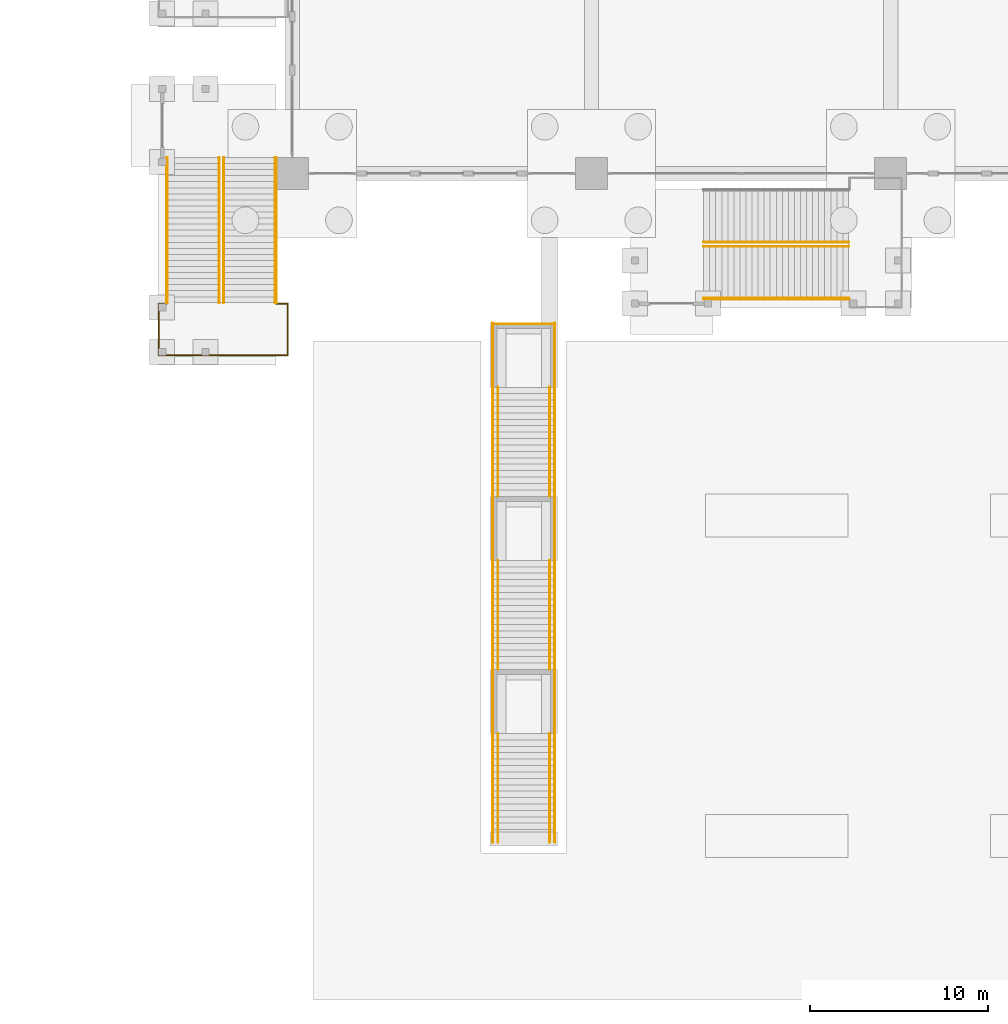
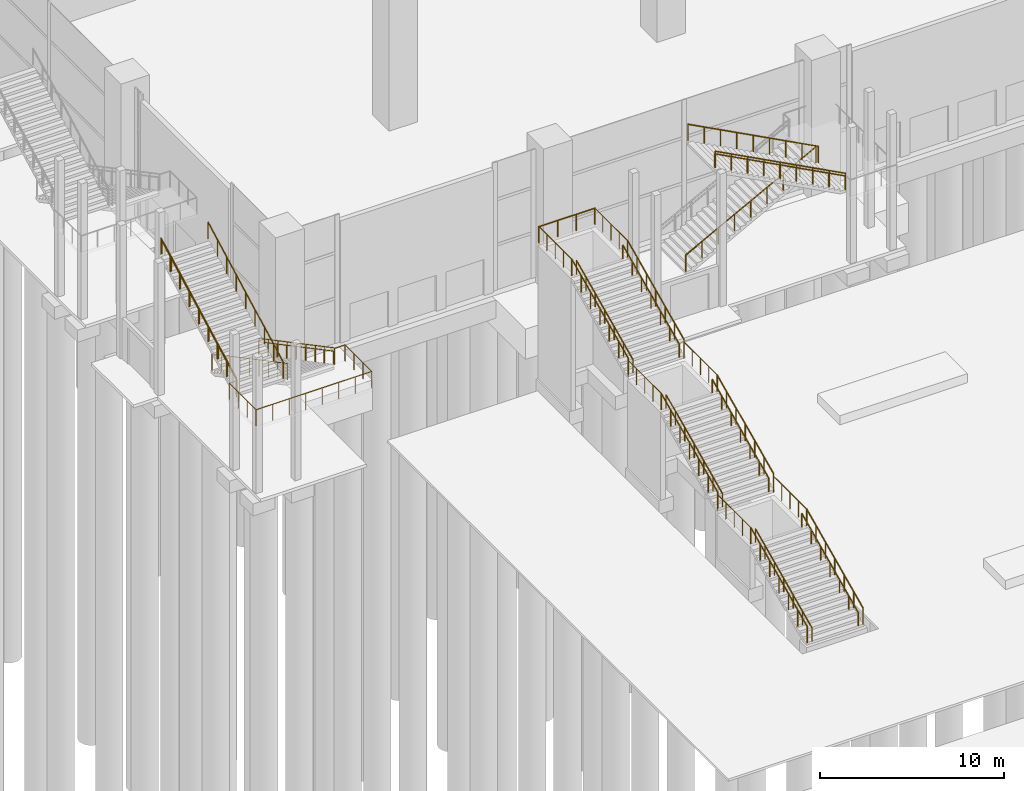
# One storey, part 56 of 72: 30 railings.
"""IFC4 building model written with IfcOpenShell, lengths in metres."""

import ifcopenshell
import ifcopenshell.guid

model = None  # the IFC model being written
_history = None  # IfcOwnerHistory: only IFC2X3 demands one
_inside = {}  # id of a spatial element -> (the spatial element, [elements in it])
_under = {}  # id of a project, library or spatial element -> (it, [spatial elements below it])
_declared = {}  # id of a project -> (the project, [libraries it declares])
_typed = {}  # id of a type object -> (the type object, [elements of that type])
_made_of = {}  # id of a material, layer set ... -> (it, [elements and type objects made of it])


def new_model(schema):
    """Start an empty IFC model of exactly this schema.

    Asked for "IFC4X3", IfcOpenShell would pick the latest addendum, in which some entities
    have other attributes; the version numbers below select the first issue.
    IFC2X3 requires an IfcOwnerHistory on every rooted entity: one is made here for all.
    """
    global model, _history
    if schema == "IFC4X3":
        model = ifcopenshell.file(schema_version=(4, 3, 0, 0))
    else:
        model = ifcopenshell.file(schema=schema)
    _inside.clear()
    _under.clear()
    _declared.clear()
    _typed.clear()
    _made_of.clear()
    _history = None
    if model.schema == "IFC2X3":
        org = make("IfcOrganization", Name="unknown")
        user = make(
            "IfcPersonAndOrganization",
            ThePerson=make("IfcPerson", FamilyName="unknown"),
            TheOrganization=org,
        )
        app = make(
            "IfcApplication",
            ApplicationDeveloper=org,
            Version="unknown",
            ApplicationFullName="unknown",
            ApplicationIdentifier="unknown",
        )
        _history = make(
            "IfcOwnerHistory",
            OwningUser=user,
            OwningApplication=app,
            ChangeAction="ADDED",
            CreationDate=0,
        )
    return model


def make(cls, **values):
    """One entity of the class cls with the attributes given. An attribute that is None is left unset."""
    return model.create_entity(
        cls, **{name: value for name, value in values.items() if value is not None}
    )


def rooted(cls, **values):
    """An entity with a GlobalId (a new one), such as an element, a storey or a relation."""
    return make(cls, GlobalId=ifcopenshell.guid.new(), OwnerHistory=_history, **values)


def si_unit(unit_type, name, prefix=None):
    """IfcSIUnit, for example si_unit("LENGTHUNIT", "METRE", prefix="MILLI")."""
    return make("IfcSIUnit", UnitType=unit_type, Prefix=prefix, Name=name)


def assignment(units):
    """IfcUnitAssignment: the units of a project."""
    return None if units is None else make("IfcUnitAssignment", Units=units)


def point(xyz):
    """IfcCartesianPoint."""
    return None if xyz is None else make("IfcCartesianPoint", Coordinates=xyz)


def direction(xyz):
    """IfcDirection."""
    return None if xyz is None else make("IfcDirection", DirectionRatios=xyz)


def frame(location, z_axis=None, x_axis=None):
    """IfcAxis2Placement3D, a coordinate frame: its origin and axes. An axis left out is left unset."""
    return make(
        "IfcAxis2Placement3D",
        Location=point(location),
        Axis=direction(z_axis),
        RefDirection=direction(x_axis),
    )


def frame_2d(location, x_axis=None):
    """IfcAxis2Placement2D, a coordinate frame in the plane: its origin and x axis."""
    return make(
        "IfcAxis2Placement2D", Location=point(location), RefDirection=direction(x_axis)
    )


def origin():
    """The frame at (0, 0, 0) with its axes left unset."""
    return frame((0.0, 0.0, 0.0))


def origin_2d():
    """The frame at (0, 0) in the plane with its x axis left unset."""
    return frame_2d((0.0, 0.0))


def place(relative_to, where):
    """IfcLocalPlacement: puts the frame where relative to a parent placement (None: the world)."""
    return make(
        "IfcLocalPlacement", PlacementRelTo=relative_to, RelativePlacement=where
    )


def context(
    kind, dimensions, precision=None, world=None, true_north=None, identifier=None
):
    """IfcGeometricRepresentationContext, for example the 3D "Model" context."""
    return make(
        "IfcGeometricRepresentationContext",
        ContextIdentifier=identifier,
        ContextType=kind,
        CoordinateSpaceDimension=dimensions,
        Precision=precision,
        WorldCoordinateSystem=world,
        TrueNorth=true_north,
    )


def subcontext(parent, identifier, kind, view, scale=None):
    """IfcGeometricRepresentationSubContext, for example "Body" below "Model"."""
    return make(
        "IfcGeometricRepresentationSubContext",
        ContextIdentifier=identifier,
        ContextType=kind,
        ParentContext=parent,
        TargetScale=scale,
        TargetView=view,
    )


def project(units=None, contexts=None):
    """IfcProject with its units and contexts."""
    return rooted(
        "IfcProject",
        Name="project",
        RepresentationContexts=contexts,
        UnitsInContext=assignment(units),
    )


def spatial(cls, under=None, at=None, **own):
    """A site, building, storey or space (cls), placed at a placement, below another one or the project."""
    s = rooted(cls, ObjectPlacement=at, **own)
    if under is not None:
        _under.setdefault(under.id(), (under, []))[1].append(s)
    return s


def profile(cls, at=None, kind="AREA", **sizes):
    """A parametric profile (cls). Its sizes go by their IFC names, for example OverallWidth=200.0."""
    return make(cls, ProfileType=kind, Position=at, **sizes)


def circle(**sizes):
    """IfcCircleProfileDef."""
    return profile("IfcCircleProfileDef", **sizes)


def extrude(swept, where, along, depth):
    """IfcExtrudedAreaSolid: the profile swept, set in the frame where, extruded along a direction by depth."""
    return make(
        "IfcExtrudedAreaSolid",
        SweptArea=swept,
        Position=where,
        ExtrudedDirection=direction(along),
        Depth=depth,
    )


def shape(context_of_items, identifier, shape_type, items):
    """IfcShapeRepresentation: the items that make up one representation, for example the "Body"."""
    return make(
        "IfcShapeRepresentation",
        ContextOfItems=context_of_items,
        RepresentationIdentifier=identifier,
        RepresentationType=shape_type,
        Items=items,
    )


def material(Name=None, Category=None):
    """IfcMaterial."""
    return make("IfcMaterial", Name=Name, Category=Category)


def made_of(thing, what):
    """Note that an element or type object is made of a material, layer set ...; save() writes the relation."""
    if what is not None:
        _made_of.setdefault(what.id(), (what, []))[1].append(thing)
    return thing


def type_object(cls, material=None, **own):
    """A type object (cls), such as IfcWallType, which elements share."""
    return made_of(rooted(cls, **own), material)


def element(
    cls,
    number,
    at=None,
    inside=None,
    cuts=None,
    type_object=None,
    material=None,
    context=None,
    identifier="Body",
    shape_type=None,
    held_by="IfcProductDefinitionShape",
    body=None,
    shapes=None,
    **own,
):
    """One element of the class cls, such as IfcWall. Its Tag is "e" and its number.

    at: its placement. inside: the storey or other place that contains it. cuts: it is an
    opening in that element (IfcRelVoidsElement). A single representation is given by context,
    identifier, shape_type and body (its items); several are given by shapes. held_by: the class
    of the entity that holds the representations. save() writes the other relations.
    """
    e = rooted(cls, Tag="e%d" % number, ObjectPlacement=at, **own)
    if body is not None:
        shapes = [shape(context, identifier, shape_type, body)]
    if shapes is not None:
        e.Representation = make(held_by, Representations=shapes)
    if inside is not None:
        _inside.setdefault(inside.id(), (inside, []))[1].append(e)
    if cuts is not None:
        rooted(
            "IfcRelVoidsElement", RelatingBuildingElement=cuts, RelatedOpeningElement=e
        )
    if type_object is not None:
        _typed.setdefault(type_object.id(), (type_object, []))[1].append(e)
    return made_of(e, material)


def aggregate(whole, parts):
    """IfcRelAggregates: a whole, such as a stair, and the parts it consists of."""
    return rooted("IfcRelAggregates", RelatingObject=whole, RelatedObjects=parts)


def save(model, path):
    """Write the relations noted so far, then the file.

    IfcRelAggregates (storeys below a building ...), IfcRelContainedInSpatialStructure (elements
    in a storey), IfcRelDefinesByType, IfcRelAssociatesMaterial and IfcRelDeclares: one each for
    every whole, place, type object, material and project.
    """
    for whole, parts in _under.values():
        aggregate(whole, parts)
    for where, things in _inside.values():
        rooted(
            "IfcRelContainedInSpatialStructure",
            RelatedElements=things,
            RelatingStructure=where,
        )
    for kind, things in _typed.values():
        rooted("IfcRelDefinesByType", RelatedObjects=things, RelatingType=kind)
    for what, things in _made_of.values():
        rooted("IfcRelAssociatesMaterial", RelatedObjects=things, RelatingMaterial=what)
    for by, libraries in _declared.values():
        rooted("IfcRelDeclares", RelatingContext=by, RelatedDefinitions=libraries)
    model.write(path)


model = new_model("IFC4")

# Units and contexts
model_context = context("Model", 3, precision=1e-05, world=origin(), true_north=direction((0.0, 1.0)))
body_context = subcontext(model_context, "Body", "Model", "MODEL_VIEW")
ifc_project = project(units=[si_unit("LENGTHUNIT", "METRE"), si_unit("AREAUNIT", "SQUARE_METRE"), si_unit("VOLUMEUNIT", "CUBIC_METRE"), si_unit("PLANEANGLEUNIT", "RADIAN"), si_unit("MASSUNIT", "GRAM", prefix="KILO")], contexts=[model_context])

# Site, building, storey
site_placement = place(None, origin())
site = spatial("IfcSite", under=ifc_project, at=site_placement, CompositionType="ELEMENT")
building_placement = place(site_placement, origin())
building = spatial("IfcBuilding", under=site, at=building_placement, Name="Candeia Pilgrim Tower and Theatre", CompositionType="ELEMENT")
storey_placement = place(building_placement, origin())
storey = spatial("IfcBuildingStorey", under=building, at=storey_placement, Name="L00", CompositionType="ELEMENT", Elevation=0.0)

# Railings
ifc_material_1 = material(Name="Steel S355", Category="steel")
railing_type_1 = type_object("IfcRailingType", Name="Guard 1100 steel balustrade", PredefinedType="GUARDRAIL", material=ifc_material_1)
for number, where, name in (
    (1, (70.050048828125, 26.840087890625, 0.166748046875), "Garden stair W guard 1"),
    (2, (73.550048828125, 26.840087890625, 0.166748046875), "Garden stair W guard 2"),
):
    element("IfcRailing", number, at=place(storey_placement, frame(where)), inside=storey, type_object=railing_type_1, Name=name, PredefinedType="GUARDRAIL", context=body_context, shape_type="SweptSolid", body=[
        extrude(circle(Radius=0.02392578125, at=origin_2d()), frame((0.0, 0.0, 1.076171875), z_axis=(0.0, 0.907468185063, 0.420120807742), x_axis=(-1.0, 0.0, 0.0)), (0.0, 0.0, 1.0), 6.743896484375),
        extrude(circle(Radius=0.02099609375, at=origin_2d()), origin(), (0.0, 0.0, 1.0), 1.052001953125),
        extrude(circle(Radius=0.02099609375, at=origin_2d()), frame((0.0, 1.02001953125, 0.47216796875)), (0.0, 0.0, 1.0), 1.052001953125),
        extrude(circle(Radius=0.02099609375, at=origin_2d()), frame((0.0, 2.0400390625, 0.9443359375)), (0.0, 0.0, 1.0), 1.052001953125),
        extrude(circle(Radius=0.02099609375, at=origin_2d()), frame((0.0, 3.06005859375, 1.41650390625)), (0.0, 0.0, 1.0), 1.052001953125),
        extrude(circle(Radius=0.02099609375, at=origin_2d()), frame((0.0, 4.079833984375, 1.888916015625)), (0.0, 0.0, 1.0), 1.052001953125),
        extrude(circle(Radius=0.02099609375, at=origin_2d()), frame((0.0, 5.099853515625, 2.361083984375)), (0.0, 0.0, 1.0), 1.052001953125),
        extrude(circle(Radius=0.02099609375, at=origin_2d()), frame((0.0, 6.119873046875, 2.833251953125)), (0.0, 0.0, 1.0), 1.052001953125),
    ])
for number, where, name in (
    (3, (70.050048828125, 32.9599609375, 3.0), "Garden stair W guard 3"),
    (4, (73.550048828125, 32.9599609375, 3.0), "Garden stair W guard 4"),
):
    element("IfcRailing", number, at=place(storey_placement, frame(where)), inside=storey, type_object=railing_type_1, Name=name, PredefinedType="GUARDRAIL", context=body_context, shape_type="SweptSolid", body=[
        extrude(circle(Radius=0.02392578125, at=origin_2d()), frame((0.0, 0.0, 1.076171875), z_axis=(0.0, 1.0, 0.0), x_axis=(-1.0, 0.0, 0.0)), (0.0, 0.0, 1.0), 3.60009765625),
        extrude(circle(Radius=0.02099609375, at=origin_2d()), origin(), (0.0, 0.0, 1.0), 1.052001953125),
        extrude(circle(Radius=0.02099609375, at=origin_2d()), frame((0.0, 0.89990234375, 0.0)), (0.0, 0.0, 1.0), 1.052001953125),
        extrude(circle(Radius=0.02099609375, at=origin_2d()), frame((0.0, 1.800048828125, 0.0)), (0.0, 0.0, 1.0), 1.052001953125),
        extrude(circle(Radius=0.02099609375, at=origin_2d()), frame((0.0, 2.7001953125, 0.0)), (0.0, 0.0, 1.0), 1.052001953125),
        extrude(circle(Radius=0.02099609375, at=origin_2d()), frame((0.0, 3.60009765625, 0.0)), (0.0, 0.0, 1.0), 1.052001953125),
    ])
for number, where, name in (
    (5, (70.050048828125, 36.56005859375, 3.166748046875), "Garden stair W guard 5"),
    (6, (73.550048828125, 36.56005859375, 3.166748046875), "Garden stair W guard 6"),
):
    element("IfcRailing", number, at=place(storey_placement, frame(where)), inside=storey, type_object=railing_type_1, Name=name, PredefinedType="GUARDRAIL", context=body_context, shape_type="SweptSolid", body=[
        extrude(circle(Radius=0.02392578125, at=origin_2d()), frame((0.0, 0.0, 1.076171875), z_axis=(0.0, 0.907468185063, 0.420120807742), x_axis=(-1.0, 0.0, 0.0)), (0.0, 0.0, 1.0), 6.743896484375),
        extrude(circle(Radius=0.02099609375, at=origin_2d()), origin(), (0.0, 0.0, 1.0), 1.052001953125),
        extrude(circle(Radius=0.02099609375, at=origin_2d()), frame((0.0, 1.02001953125, 0.47216796875)), (0.0, 0.0, 1.0), 1.052001953125),
        extrude(circle(Radius=0.02099609375, at=origin_2d()), frame((0.0, 2.0400390625, 0.9443359375)), (0.0, 0.0, 1.0), 1.052001953125),
        extrude(circle(Radius=0.02099609375, at=origin_2d()), frame((0.0, 3.06005859375, 1.41650390625)), (0.0, 0.0, 1.0), 1.052001953125),
        extrude(circle(Radius=0.02099609375, at=origin_2d()), frame((0.0, 4.079833984375, 1.888916015625)), (0.0, 0.0, 1.0), 1.052001953125),
        extrude(circle(Radius=0.02099609375, at=origin_2d()), frame((0.0, 5.099853515625, 2.361083984375)), (0.0, 0.0, 1.0), 1.052001953125),
        extrude(circle(Radius=0.02099609375, at=origin_2d()), frame((0.0, 6.119873046875, 2.833251953125)), (0.0, 0.0, 1.0), 1.052001953125),
    ])
for number, where, name in (
    (7, (70.050048828125, 42.679931640625, 6.0), "Garden stair W guard 7"),
    (8, (73.550048828125, 42.679931640625, 6.0), "Garden stair W guard 8"),
):
    element("IfcRailing", number, at=place(storey_placement, frame(where)), inside=storey, type_object=railing_type_1, Name=name, PredefinedType="GUARDRAIL", context=body_context, shape_type="SweptSolid", body=[
        extrude(circle(Radius=0.02392578125, at=origin_2d()), frame((0.0, 0.0, 1.076171875), z_axis=(0.0, 1.0, 0.0), x_axis=(-1.0, 0.0, 0.0)), (0.0, 0.0, 1.0), 3.60009765625),
        extrude(circle(Radius=0.02099609375, at=origin_2d()), origin(), (0.0, 0.0, 1.0), 1.052001953125),
        extrude(circle(Radius=0.02099609375, at=origin_2d()), frame((0.0, 0.89990234375, 0.0)), (0.0, 0.0, 1.0), 1.052001953125),
        extrude(circle(Radius=0.02099609375, at=origin_2d()), frame((0.0, 1.800048828125, 0.0)), (0.0, 0.0, 1.0), 1.052001953125),
        extrude(circle(Radius=0.02099609375, at=origin_2d()), frame((0.0, 2.7001953125, 0.0)), (0.0, 0.0, 1.0), 1.052001953125),
        extrude(circle(Radius=0.02099609375, at=origin_2d()), frame((0.0, 3.60009765625, 0.0)), (0.0, 0.0, 1.0), 1.052001953125),
    ])
for number, where, name in (
    (9, (70.050048828125, 46.280029296875, 6.166748046875), "Garden stair W guard 9"),
    (10, (73.550048828125, 46.280029296875, 6.166748046875), "Garden stair W guard 10"),
):
    element("IfcRailing", number, at=place(storey_placement, frame(where)), inside=storey, type_object=railing_type_1, Name=name, PredefinedType="GUARDRAIL", context=body_context, shape_type="SweptSolid", body=[
        extrude(circle(Radius=0.02392578125, at=origin_2d()), frame((0.0, 0.0, 1.076171875), z_axis=(0.0, 0.907468185063, 0.420120807742), x_axis=(-1.0, 0.0, 0.0)), (0.0, 0.0, 1.0), 6.743896484375),
        extrude(circle(Radius=0.02099609375, at=origin_2d()), origin(), (0.0, 0.0, 1.0), 1.052001953125),
        extrude(circle(Radius=0.02099609375, at=origin_2d()), frame((0.0, 1.02001953125, 0.47216796875)), (0.0, 0.0, 1.0), 1.052001953125),
        extrude(circle(Radius=0.02099609375, at=origin_2d()), frame((0.0, 2.0400390625, 0.9443359375)), (0.0, 0.0, 1.0), 1.052001953125),
        extrude(circle(Radius=0.02099609375, at=origin_2d()), frame((0.0, 3.06005859375, 1.41650390625)), (0.0, 0.0, 1.0), 1.052001953125),
        extrude(circle(Radius=0.02099609375, at=origin_2d()), frame((0.0, 4.079833984375, 1.888916015625)), (0.0, 0.0, 1.0), 1.052001953125),
        extrude(circle(Radius=0.02099609375, at=origin_2d()), frame((0.0, 5.099853515625, 2.361083984375)), (0.0, 0.0, 1.0), 1.052001953125),
        extrude(circle(Radius=0.02099609375, at=origin_2d()), frame((0.0, 6.119873046875, 2.833251953125)), (0.0, 0.0, 1.0), 1.052001953125),
    ])
for number, where, name in (
    (11, (70.050048828125, 52.39990234375, 9.0), "Garden stair W guard 11"),
    (12, (73.550048828125, 52.39990234375, 9.0), "Garden stair W guard 12"),
):
    element("IfcRailing", number, at=place(storey_placement, frame(where)), inside=storey, type_object=railing_type_1, Name=name, PredefinedType="GUARDRAIL", context=body_context, shape_type="SweptSolid", body=[
        extrude(circle(Radius=0.02392578125, at=origin_2d()), frame((0.0, 0.0, 1.076171875), z_axis=(0.0, 1.0, 0.0), x_axis=(-1.0, 0.0, 0.0)), (0.0, 0.0, 1.0), 3.60009765625),
        extrude(circle(Radius=0.02099609375, at=origin_2d()), origin(), (0.0, 0.0, 1.0), 1.052001953125),
        extrude(circle(Radius=0.02099609375, at=origin_2d()), frame((0.0, 0.89990234375, 0.0)), (0.0, 0.0, 1.0), 1.052001953125),
        extrude(circle(Radius=0.02099609375, at=origin_2d()), frame((0.0, 1.800048828125, 0.0)), (0.0, 0.0, 1.0), 1.052001953125),
        extrude(circle(Radius=0.02099609375, at=origin_2d()), frame((0.0, 2.7001953125, 0.0)), (0.0, 0.0, 1.0), 1.052001953125),
        extrude(circle(Radius=0.02099609375, at=origin_2d()), frame((0.0, 3.60009765625, 0.0)), (0.0, 0.0, 1.0), 1.052001953125),
    ])
railing_1_placement = place(storey_placement, frame((70.050048828125, 55.949951171875, 9.0)))
element("IfcRailing", 13, at=railing_1_placement, inside=storey, type_object=railing_type_1, Name="Garden stair W guard 13", PredefinedType="GUARDRAIL", context=body_context, shape_type="SweptSolid", body=[
    extrude(circle(Radius=0.02392578125, at=origin_2d()), frame((0.0, 0.0, 1.076171875), z_axis=(1.0, 0.0, 0.0), x_axis=(0.0, 1.0, 0.0)), (0.0, 0.0, 1.0), 3.5),
    extrude(circle(Radius=0.02099609375, at=origin_2d()), origin(), (0.0, 0.0, 1.0), 1.052001953125),
    extrude(circle(Radius=0.02099609375, at=origin_2d()), frame((1.166748046875, 0.0, 0.0)), (0.0, 0.0, 1.0), 1.052001953125),
    extrude(circle(Radius=0.02099609375, at=origin_2d()), frame((2.333251953125, 0.0, 0.0)), (0.0, 0.0, 1.0), 1.052001953125),
    extrude(circle(Radius=0.02099609375, at=origin_2d()), frame((3.5, 0.0, 0.0)), (0.0, 0.0, 1.0), 1.052001953125),
])
railing_type_2 = type_object("IfcRailingType", Name="Handrail 900 steel", PredefinedType="HANDRAIL", material=ifc_material_1)
for number, where, name in (
    (14, (70.35009765625, 26.840087890625, 0.166748046875), "Garden stair W handrail 1"),
    (15, (73.25, 26.840087890625, 0.166748046875), "Garden stair W handrail 2"),
    (16, (70.35009765625, 36.56005859375, 3.166748046875), "Garden stair W handrail 3"),
    (17, (73.25, 36.56005859375, 3.166748046875), "Garden stair W handrail 4"),
    (18, (70.35009765625, 46.280029296875, 6.166748046875), "Garden stair W handrail 5"),
    (19, (73.25, 46.280029296875, 6.166748046875), "Garden stair W handrail 6"),
):
    element("IfcRailing", number, at=place(storey_placement, frame(where)), inside=storey, type_object=railing_type_2, Name=name, PredefinedType="HANDRAIL", context=body_context, shape_type="SweptSolid", body=[
        extrude(circle(Radius=0.02392578125, at=origin_2d()), frame((0.0, 0.0, 0.8759765625), z_axis=(0.0, 0.907468185063, 0.420120807742), x_axis=(-1.0, 0.0, 0.0)), (0.0, 0.0, 1.0), 6.743896484375),
        extrude(circle(Radius=0.02099609375, at=origin_2d()), origin(), (0.0, 0.0, 1.0), 0.851806640625),
        extrude(circle(Radius=0.02099609375, at=origin_2d()), frame((0.0, 1.02001953125, 0.47216796875)), (0.0, 0.0, 1.0), 0.851806640625),
        extrude(circle(Radius=0.02099609375, at=origin_2d()), frame((0.0, 2.0400390625, 0.9443359375)), (0.0, 0.0, 1.0), 0.851806640625),
        extrude(circle(Radius=0.02099609375, at=origin_2d()), frame((0.0, 3.06005859375, 1.41650390625)), (0.0, 0.0, 1.0), 0.851806640625),
        extrude(circle(Radius=0.02099609375, at=origin_2d()), frame((0.0, 4.079833984375, 1.888916015625)), (0.0, 0.0, 1.0), 0.851806640625),
        extrude(circle(Radius=0.02099609375, at=origin_2d()), frame((0.0, 5.099853515625, 2.361083984375)), (0.0, 0.0, 1.0), 0.851806640625),
        extrude(circle(Radius=0.02099609375, at=origin_2d()), frame((0.0, 6.119873046875, 2.833251953125)), (0.0, 0.0, 1.0), 0.851806640625),
    ])
ifc_material_2 = material(Name="Stainless steel balustrade", Category="steel")
railing_type_3 = type_object("IfcRailingType", Name="RL-GUARD-1100", PredefinedType="GUARDRAIL", material=ifc_material_2)
railing_2_placement = place(storey_placement, frame((81.89990234375, 60.550048828125, 0.179931640625)))
element("IfcRailing", 20, at=railing_2_placement, inside=storey, type_object=railing_type_3, Name="L00 ES8 stair guard 1", PredefinedType="GUARDRAIL", context=body_context, shape_type="SweptSolid", body=[
    extrude(circle(Radius=0.02392578125, at=origin_2d()), frame((0.0, 0.0, 1.076171875), z_axis=(0.883788559524, 0.0, 0.467886505528), x_axis=(0.0, 1.0, 0.0)), (0.0, 0.0, 1.0), 9.233154296875),
    extrude(circle(Radius=0.02099609375, at=origin_2d()), origin(), (0.0, 0.0, 1.0), 1.052001953125),
    extrude(circle(Radius=0.02099609375, at=origin_2d()), frame((1.02001953125, 0.0, 0.5400390625)), (0.0, 0.0, 1.0), 1.052001953125),
    extrude(circle(Radius=0.02099609375, at=origin_2d()), frame((2.0400390625, 0.0, 1.080078125)), (0.0, 0.0, 1.0), 1.052001953125),
    extrude(circle(Radius=0.02099609375, at=origin_2d()), frame((3.06005859375, 0.0, 1.6201171875)), (0.0, 0.0, 1.0), 1.052001953125),
    extrude(circle(Radius=0.02099609375, at=origin_2d()), frame((4.080078125, 0.0, 2.16015625)), (0.0, 0.0, 1.0), 1.052001953125),
    extrude(circle(Radius=0.02099609375, at=origin_2d()), frame((5.10009765625, 0.0, 2.699951171875)), (0.0, 0.0, 1.0), 1.052001953125),
    extrude(circle(Radius=0.02099609375, at=origin_2d()), frame((6.1201171875, 0.0, 3.239990234375)), (0.0, 0.0, 1.0), 1.052001953125),
    extrude(circle(Radius=0.02099609375, at=origin_2d()), frame((7.14013671875, 0.0, 3.780029296875)), (0.0, 0.0, 1.0), 1.052001953125),
    extrude(circle(Radius=0.02099609375, at=origin_2d()), frame((8.16015625, 0.0, 4.320068359375)), (0.0, 0.0, 1.0), 1.052001953125),
])
for number, where, name in (
    (21, (90.06005859375, 60.300048828125, 4.679931640625), "L00 ES8 stair guard 2"),
    (22, (90.06005859375, 57.35009765625, 4.679931640625), "L00 ES8 stair guard 4"),
):
    element("IfcRailing", number, at=place(storey_placement, frame(where)), inside=storey, type_object=railing_type_3, Name=name, PredefinedType="GUARDRAIL", context=body_context, shape_type="SweptSolid", body=[
        extrude(circle(Radius=0.02392578125, at=origin_2d()), frame((0.0, 0.0, 1.076171875), z_axis=(-0.883788559524, 0.0, 0.467886505528), x_axis=(0.0, -1.0, 0.0)), (0.0, 0.0, 1.0), 9.233154296875),
        extrude(circle(Radius=0.02099609375, at=origin_2d()), origin(), (0.0, 0.0, 1.0), 1.052001953125),
        extrude(circle(Radius=0.02099609375, at=origin_2d()), frame((-1.02001953125, 0.0, 0.5400390625)), (0.0, 0.0, 1.0), 1.052001953125),
        extrude(circle(Radius=0.02099609375, at=origin_2d()), frame((-2.0400390625, 0.0, 1.080078125)), (0.0, 0.0, 1.0), 1.052001953125),
        extrude(circle(Radius=0.02099609375, at=origin_2d()), frame((-3.06005859375, 0.0, 1.6201171875)), (0.0, 0.0, 1.0), 1.052001953125),
        extrude(circle(Radius=0.02099609375, at=origin_2d()), frame((-4.080078125, 0.0, 2.16015625)), (0.0, 0.0, 1.0), 1.052001953125),
        extrude(circle(Radius=0.02099609375, at=origin_2d()), frame((-5.10009765625, 0.0, 2.699951171875)), (0.0, 0.0, 1.0), 1.052001953125),
        extrude(circle(Radius=0.02099609375, at=origin_2d()), frame((-6.1201171875, 0.0, 3.239990234375)), (0.0, 0.0, 1.0), 1.052001953125),
        extrude(circle(Radius=0.02099609375, at=origin_2d()), frame((-7.14013671875, 0.0, 3.780029296875)), (0.0, 0.0, 1.0), 1.052001953125),
        extrude(circle(Radius=0.02099609375, at=origin_2d()), frame((-8.16015625, 0.0, 4.320068359375)), (0.0, 0.0, 1.0), 1.052001953125),
    ])
railing_3_placement = place(storey_placement, frame((54.949951171875, 65.300048828125, 0.179931640625)))
element("IfcRailing", 23, at=railing_3_placement, inside=storey, type_object=railing_type_3, Name="L00 ES10 stair guard 1", PredefinedType="GUARDRAIL", context=body_context, shape_type="SweptSolid", body=[
    extrude(circle(Radius=0.02392578125, at=origin_2d()), frame((0.0, 0.0, 1.076171875), z_axis=(0.0, -0.883788559524, 0.467886505528), x_axis=(1.0, 0.0, 0.0)), (0.0, 0.0, 1.0), 9.233154296875),
    extrude(circle(Radius=0.02099609375, at=origin_2d()), origin(), (0.0, 0.0, 1.0), 1.052001953125),
    extrude(circle(Radius=0.02099609375, at=origin_2d()), frame((0.0, -1.02001953125, 0.5400390625)), (0.0, 0.0, 1.0), 1.052001953125),
    extrude(circle(Radius=0.02099609375, at=origin_2d()), frame((0.0, -2.0400390625, 1.080078125)), (0.0, 0.0, 1.0), 1.052001953125),
    extrude(circle(Radius=0.02099609375, at=origin_2d()), frame((0.0, -3.06005859375, 1.6201171875)), (0.0, 0.0, 1.0), 1.052001953125),
    extrude(circle(Radius=0.02099609375, at=origin_2d()), frame((0.0, -4.080078125, 2.16015625)), (0.0, 0.0, 1.0), 1.052001953125),
    extrude(circle(Radius=0.02099609375, at=origin_2d()), frame((0.0, -5.10009765625, 2.699951171875)), (0.0, 0.0, 1.0), 1.052001953125),
    extrude(circle(Radius=0.02099609375, at=origin_2d()), frame((0.0, -6.1201171875, 3.239990234375)), (0.0, 0.0, 1.0), 1.052001953125),
    extrude(circle(Radius=0.02099609375, at=origin_2d()), frame((0.0, -7.14013671875, 3.780029296875)), (0.0, 0.0, 1.0), 1.052001953125),
    extrude(circle(Radius=0.02099609375, at=origin_2d()), frame((0.0, -8.16015625, 4.320068359375)), (0.0, 0.0, 1.0), 1.052001953125),
])
railing_4_placement = place(storey_placement, frame((54.699951171875, 57.139892578125, 4.679931640625)))
element("IfcRailing", 24, at=railing_4_placement, inside=storey, type_object=railing_type_3, Name="L00 ES10 stair guard 2", PredefinedType="GUARDRAIL", context=body_context, shape_type="SweptSolid", body=[
    extrude(circle(Radius=0.02392578125, at=origin_2d()), frame((0.0, 0.0, 1.076171875), z_axis=(0.0, 0.883788559524, 0.467886505528), x_axis=(-1.0, 0.0, 0.0)), (0.0, 0.0, 1.0), 9.233154296875),
    extrude(circle(Radius=0.02099609375, at=origin_2d()), origin(), (0.0, 0.0, 1.0), 1.052001953125),
    extrude(circle(Radius=0.02099609375, at=origin_2d()), frame((0.0, 1.02001953125, 0.5400390625)), (0.0, 0.0, 1.0), 1.052001953125),
    extrude(circle(Radius=0.02099609375, at=origin_2d()), frame((0.0, 2.0400390625, 1.080078125)), (0.0, 0.0, 1.0), 1.052001953125),
    extrude(circle(Radius=0.02099609375, at=origin_2d()), frame((0.0, 3.06005859375, 1.6201171875)), (0.0, 0.0, 1.0), 1.052001953125),
    extrude(circle(Radius=0.02099609375, at=origin_2d()), frame((0.0, 4.080078125, 2.16015625)), (0.0, 0.0, 1.0), 1.052001953125),
    extrude(circle(Radius=0.02099609375, at=origin_2d()), frame((0.0, 5.10009765625, 2.699951171875)), (0.0, 0.0, 1.0), 1.052001953125),
    extrude(circle(Radius=0.02099609375, at=origin_2d()), frame((0.0, 6.1201171875, 3.239990234375)), (0.0, 0.0, 1.0), 1.052001953125),
    extrude(circle(Radius=0.02099609375, at=origin_2d()), frame((0.0, 7.14013671875, 3.780029296875)), (0.0, 0.0, 1.0), 1.052001953125),
    extrude(circle(Radius=0.02099609375, at=origin_2d()), frame((0.0, 8.16015625, 4.320068359375)), (0.0, 0.0, 1.0), 1.052001953125),
])
railing_5_placement = place(storey_placement, frame((57.89990234375, 65.300048828125, 0.179931640625)))
element("IfcRailing", 25, at=railing_5_placement, inside=storey, type_object=railing_type_3, Name="L00 ES10 stair guard 3", PredefinedType="GUARDRAIL", context=body_context, shape_type="SweptSolid", body=[
    extrude(circle(Radius=0.02392578125, at=origin_2d()), frame((0.0, 0.0, 1.076171875), z_axis=(0.0, -0.883788559524, 0.467886505528), x_axis=(1.0, 0.0, 0.0)), (0.0, 0.0, 1.0), 9.233154296875),
    extrude(circle(Radius=0.02099609375, at=origin_2d()), origin(), (0.0, 0.0, 1.0), 1.052001953125),
    extrude(circle(Radius=0.02099609375, at=origin_2d()), frame((0.0, -1.02001953125, 0.5400390625)), (0.0, 0.0, 1.0), 1.052001953125),
    extrude(circle(Radius=0.02099609375, at=origin_2d()), frame((0.0, -2.0400390625, 1.080078125)), (0.0, 0.0, 1.0), 1.052001953125),
    extrude(circle(Radius=0.02099609375, at=origin_2d()), frame((0.0, -3.06005859375, 1.6201171875)), (0.0, 0.0, 1.0), 1.052001953125),
    extrude(circle(Radius=0.02099609375, at=origin_2d()), frame((0.0, -4.080078125, 2.16015625)), (0.0, 0.0, 1.0), 1.052001953125),
    extrude(circle(Radius=0.02099609375, at=origin_2d()), frame((0.0, -5.10009765625, 2.699951171875)), (0.0, 0.0, 1.0), 1.052001953125),
    extrude(circle(Radius=0.02099609375, at=origin_2d()), frame((0.0, -6.1201171875, 3.239990234375)), (0.0, 0.0, 1.0), 1.052001953125),
    extrude(circle(Radius=0.02099609375, at=origin_2d()), frame((0.0, -7.14013671875, 3.780029296875)), (0.0, 0.0, 1.0), 1.052001953125),
    extrude(circle(Radius=0.02099609375, at=origin_2d()), frame((0.0, -8.16015625, 4.320068359375)), (0.0, 0.0, 1.0), 1.052001953125),
])
railing_6_placement = place(storey_placement, frame((51.75, 57.139892578125, 4.679931640625)))
element("IfcRailing", 26, at=railing_6_placement, inside=storey, type_object=railing_type_3, Name="L00 ES10 stair guard 4", PredefinedType="GUARDRAIL", context=body_context, shape_type="SweptSolid", body=[
    extrude(circle(Radius=0.02392578125, at=origin_2d()), frame((0.0, 0.0, 1.076171875), z_axis=(0.0, 0.883788559524, 0.467886505528), x_axis=(-1.0, 0.0, 0.0)), (0.0, 0.0, 1.0), 9.233154296875),
    extrude(circle(Radius=0.02099609375, at=origin_2d()), origin(), (0.0, 0.0, 1.0), 1.052001953125),
    extrude(circle(Radius=0.02099609375, at=origin_2d()), frame((0.0, 1.02001953125, 0.5400390625)), (0.0, 0.0, 1.0), 1.052001953125),
    extrude(circle(Radius=0.02099609375, at=origin_2d()), frame((0.0, 2.0400390625, 1.080078125)), (0.0, 0.0, 1.0), 1.052001953125),
    extrude(circle(Radius=0.02099609375, at=origin_2d()), frame((0.0, 3.06005859375, 1.6201171875)), (0.0, 0.0, 1.0), 1.052001953125),
    extrude(circle(Radius=0.02099609375, at=origin_2d()), frame((0.0, 4.080078125, 2.16015625)), (0.0, 0.0, 1.0), 1.052001953125),
    extrude(circle(Radius=0.02099609375, at=origin_2d()), frame((0.0, 5.10009765625, 2.699951171875)), (0.0, 0.0, 1.0), 1.052001953125),
    extrude(circle(Radius=0.02099609375, at=origin_2d()), frame((0.0, 6.1201171875, 3.239990234375)), (0.0, 0.0, 1.0), 1.052001953125),
    extrude(circle(Radius=0.02099609375, at=origin_2d()), frame((0.0, 7.14013671875, 3.780029296875)), (0.0, 0.0, 1.0), 1.052001953125),
    extrude(circle(Radius=0.02099609375, at=origin_2d()), frame((0.0, 8.16015625, 4.320068359375)), (0.0, 0.0, 1.0), 1.052001953125),
])
railing_7_placement = place(storey_placement, frame((57.89990234375, 57.090087890625, 4.5)))
element("IfcRailing", 27, at=railing_7_placement, inside=storey, type_object=railing_type_3, Name="L00 ES10 stair guard 5", PredefinedType="GUARDRAIL", context=body_context, shape_type="SweptSolid", body=[
    extrude(circle(Radius=0.02392578125, at=origin_2d()), frame((0.0, 0.0, 1.076171875), z_axis=(1.0, 0.0, 0.0), x_axis=(0.0, 1.0, 0.0)), (0.0, 0.0, 1.0), 0.650146484375),
    extrude(circle(Radius=0.02392578125, at=origin_2d()), frame((0.650146484375, 0.0, 1.076171875), z_axis=(0.0, -1.0, 0.0), x_axis=(1.0, 0.0, 0.0)), (0.0, 0.0, 1.0), 2.900146484375),
    extrude(circle(Radius=0.02392578125, at=origin_2d()), frame((0.650146484375, -2.900146484375, 1.076171875), z_axis=(-1.0, 0.0, 0.0), x_axis=(0.0, -1.0, 0.0)), (0.0, 0.0, 1.0), 7.25),
    extrude(circle(Radius=0.02392578125, at=origin_2d()), frame((-6.599853515625, -2.900146484375, 1.076171875), z_axis=(0.0, 1.0, 0.0), x_axis=(-1.0, 0.0, 0.0)), (0.0, 0.0, 1.0), 2.900146484375),
    extrude(circle(Radius=0.02392578125, at=origin_2d()), frame((-6.599853515625, 0.0, 1.076171875), z_axis=(1.0, 0.0, 0.0), x_axis=(0.0, 1.0, 0.0)), (0.0, 0.0, 1.0), 0.449951171875),
    extrude(circle(Radius=0.02099609375, at=origin_2d()), origin(), (0.0, 0.0, 1.0), 1.052001953125),
    extrude(circle(Radius=0.02099609375, at=origin_2d()), frame((0.650146484375, 0.0, 0.0)), (0.0, 0.0, 1.0), 1.052001953125),
    extrude(circle(Radius=0.02099609375, at=origin_2d()), frame((0.650146484375, -0.966796875, 0.0)), (0.0, 0.0, 1.0), 1.052001953125),
    extrude(circle(Radius=0.02099609375, at=origin_2d()), frame((0.650146484375, -1.933349609375, 0.0)), (0.0, 0.0, 1.0), 1.052001953125),
    extrude(circle(Radius=0.02099609375, at=origin_2d()), frame((0.650146484375, -2.900146484375, 0.0)), (0.0, 0.0, 1.0), 1.052001953125),
    extrude(circle(Radius=0.02099609375, at=origin_2d()), frame((-0.385498046875, -2.900146484375, 0.0)), (0.0, 0.0, 1.0), 1.052001953125),
    extrude(circle(Radius=0.02099609375, at=origin_2d()), frame((-1.42138671875, -2.900146484375, 0.0)), (0.0, 0.0, 1.0), 1.052001953125),
    extrude(circle(Radius=0.02099609375, at=origin_2d()), frame((-2.45703125, -2.900146484375, 0.0)), (0.0, 0.0, 1.0), 1.052001953125),
    extrude(circle(Radius=0.02099609375, at=origin_2d()), frame((-3.49267578125, -2.900146484375, 0.0)), (0.0, 0.0, 1.0), 1.052001953125),
    extrude(circle(Radius=0.02099609375, at=origin_2d()), frame((-4.5283203125, -2.900146484375, 0.0)), (0.0, 0.0, 1.0), 1.052001953125),
    extrude(circle(Radius=0.02099609375, at=origin_2d()), frame((-5.564208984375, -2.900146484375, 0.0)), (0.0, 0.0, 1.0), 1.052001953125),
    extrude(circle(Radius=0.02099609375, at=origin_2d()), frame((-6.599853515625, -2.900146484375, 0.0)), (0.0, 0.0, 1.0), 1.052001953125),
    extrude(circle(Radius=0.02099609375, at=origin_2d()), frame((-6.599853515625, -1.933349609375, 0.0)), (0.0, 0.0, 1.0), 1.052001953125),
    extrude(circle(Radius=0.02099609375, at=origin_2d()), frame((-6.599853515625, -0.966796875, 0.0)), (0.0, 0.0, 1.0), 1.052001953125),
    extrude(circle(Radius=0.02099609375, at=origin_2d()), frame((-6.599853515625, 0.0, 0.0)), (0.0, 0.0, 1.0), 1.052001953125),
    extrude(circle(Radius=0.02099609375, at=origin_2d()), frame((-6.14990234375, 0.0, 0.0)), (0.0, 0.0, 1.0), 1.052001953125),
])
ifc_material_3 = material(Name="Stainless steel handrail", Category="steel")
railing_type_4 = type_object("IfcRailingType", Name="RL-HANDRAIL-900", PredefinedType="HANDRAIL", material=ifc_material_3)
railing_8_placement = place(storey_placement, frame((90.06005859375, 57.39990234375, 4.679931640625)))
element("IfcRailing", 28, at=railing_8_placement, inside=storey, type_object=railing_type_4, Name="L00 ES8 stair handrail 2", PredefinedType="HANDRAIL", context=body_context, shape_type="SweptSolid", body=[
    extrude(circle(Radius=0.02392578125, at=origin_2d()), frame((0.0, 0.0, 0.8759765625), z_axis=(-0.883788559524, 0.0, 0.467886505528), x_axis=(0.0, -1.0, 0.0)), (0.0, 0.0, 1.0), 9.233154296875),
    extrude(circle(Radius=0.02099609375, at=origin_2d()), origin(), (0.0, 0.0, 1.0), 0.851806640625),
    extrude(circle(Radius=0.02099609375, at=origin_2d()), frame((-1.02001953125, 0.0, 0.5400390625)), (0.0, 0.0, 1.0), 0.851806640625),
    extrude(circle(Radius=0.02099609375, at=origin_2d()), frame((-2.0400390625, 0.0, 1.080078125)), (0.0, 0.0, 1.0), 0.851806640625),
    extrude(circle(Radius=0.02099609375, at=origin_2d()), frame((-3.06005859375, 0.0, 1.6201171875)), (0.0, 0.0, 1.0), 0.851806640625),
    extrude(circle(Radius=0.02099609375, at=origin_2d()), frame((-4.080078125, 0.0, 2.16015625)), (0.0, 0.0, 1.0), 0.851806640625),
    extrude(circle(Radius=0.02099609375, at=origin_2d()), frame((-5.10009765625, 0.0, 2.699951171875)), (0.0, 0.0, 1.0), 0.851806640625),
    extrude(circle(Radius=0.02099609375, at=origin_2d()), frame((-6.1201171875, 0.0, 3.239990234375)), (0.0, 0.0, 1.0), 0.851806640625),
    extrude(circle(Radius=0.02099609375, at=origin_2d()), frame((-7.14013671875, 0.0, 3.780029296875)), (0.0, 0.0, 1.0), 0.851806640625),
    extrude(circle(Radius=0.02099609375, at=origin_2d()), frame((-8.16015625, 0.0, 4.320068359375)), (0.0, 0.0, 1.0), 0.851806640625),
])
railing_9_placement = place(storey_placement, frame((57.85009765625, 65.300048828125, 0.179931640625)))
element("IfcRailing", 29, at=railing_9_placement, inside=storey, type_object=railing_type_4, Name="L00 ES10 stair handrail 1", PredefinedType="HANDRAIL", context=body_context, shape_type="SweptSolid", body=[
    extrude(circle(Radius=0.02392578125, at=origin_2d()), frame((0.0, 0.0, 0.8759765625), z_axis=(0.0, -0.883788559524, 0.467886505528), x_axis=(1.0, 0.0, 0.0)), (0.0, 0.0, 1.0), 9.233154296875),
    extrude(circle(Radius=0.02099609375, at=origin_2d()), origin(), (0.0, 0.0, 1.0), 0.851806640625),
    extrude(circle(Radius=0.02099609375, at=origin_2d()), frame((0.0, -1.02001953125, 0.5400390625)), (0.0, 0.0, 1.0), 0.851806640625),
    extrude(circle(Radius=0.02099609375, at=origin_2d()), frame((0.0, -2.0400390625, 1.080078125)), (0.0, 0.0, 1.0), 0.851806640625),
    extrude(circle(Radius=0.02099609375, at=origin_2d()), frame((0.0, -3.06005859375, 1.6201171875)), (0.0, 0.0, 1.0), 0.851806640625),
    extrude(circle(Radius=0.02099609375, at=origin_2d()), frame((0.0, -4.080078125, 2.16015625)), (0.0, 0.0, 1.0), 0.851806640625),
    extrude(circle(Radius=0.02099609375, at=origin_2d()), frame((0.0, -5.10009765625, 2.699951171875)), (0.0, 0.0, 1.0), 0.851806640625),
    extrude(circle(Radius=0.02099609375, at=origin_2d()), frame((0.0, -6.1201171875, 3.239990234375)), (0.0, 0.0, 1.0), 0.851806640625),
    extrude(circle(Radius=0.02099609375, at=origin_2d()), frame((0.0, -7.14013671875, 3.780029296875)), (0.0, 0.0, 1.0), 0.851806640625),
    extrude(circle(Radius=0.02099609375, at=origin_2d()), frame((0.0, -8.16015625, 4.320068359375)), (0.0, 0.0, 1.0), 0.851806640625),
])
railing_10_placement = place(storey_placement, frame((51.800048828125, 57.139892578125, 4.679931640625)))
element("IfcRailing", 30, at=railing_10_placement, inside=storey, type_object=railing_type_4, Name="L00 ES10 stair handrail 2", PredefinedType="HANDRAIL", context=body_context, shape_type="SweptSolid", body=[
    extrude(circle(Radius=0.02392578125, at=origin_2d()), frame((0.0, 0.0, 0.8759765625), z_axis=(0.0, 0.883788559524, 0.467886505528), x_axis=(-1.0, 0.0, 0.0)), (0.0, 0.0, 1.0), 9.233154296875),
    extrude(circle(Radius=0.02099609375, at=origin_2d()), origin(), (0.0, 0.0, 1.0), 0.851806640625),
    extrude(circle(Radius=0.02099609375, at=origin_2d()), frame((0.0, 1.02001953125, 0.5400390625)), (0.0, 0.0, 1.0), 0.851806640625),
    extrude(circle(Radius=0.02099609375, at=origin_2d()), frame((0.0, 2.0400390625, 1.080078125)), (0.0, 0.0, 1.0), 0.851806640625),
    extrude(circle(Radius=0.02099609375, at=origin_2d()), frame((0.0, 3.06005859375, 1.6201171875)), (0.0, 0.0, 1.0), 0.851806640625),
    extrude(circle(Radius=0.02099609375, at=origin_2d()), frame((0.0, 4.080078125, 2.16015625)), (0.0, 0.0, 1.0), 0.851806640625),
    extrude(circle(Radius=0.02099609375, at=origin_2d()), frame((0.0, 5.10009765625, 2.699951171875)), (0.0, 0.0, 1.0), 0.851806640625),
    extrude(circle(Radius=0.02099609375, at=origin_2d()), frame((0.0, 6.1201171875, 3.239990234375)), (0.0, 0.0, 1.0), 0.851806640625),
    extrude(circle(Radius=0.02099609375, at=origin_2d()), frame((0.0, 7.14013671875, 3.780029296875)), (0.0, 0.0, 1.0), 0.851806640625),
    extrude(circle(Radius=0.02099609375, at=origin_2d()), frame((0.0, 8.16015625, 4.320068359375)), (0.0, 0.0, 1.0), 0.851806640625),
])

save(model, "model.ifc")
